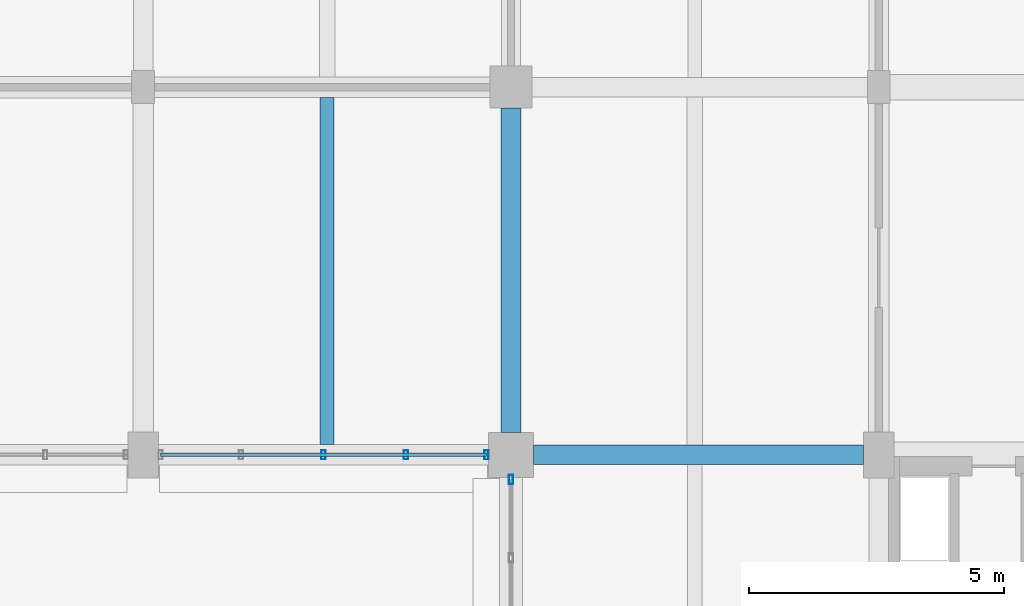
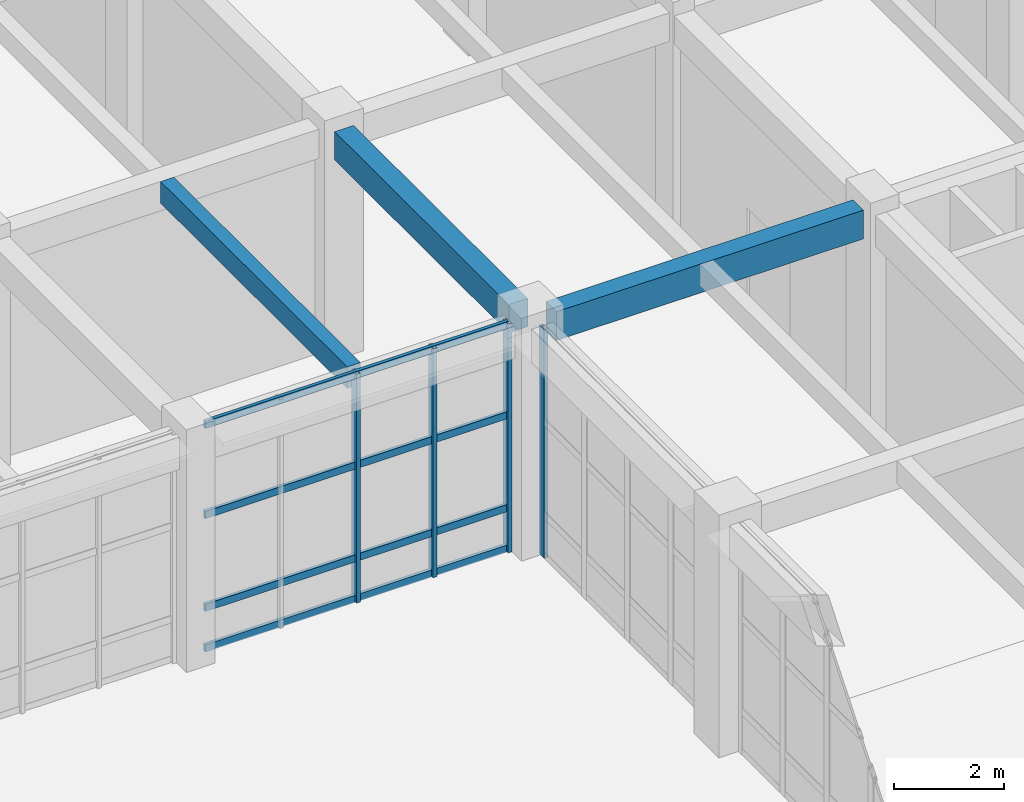
# One storey, part 102 of 160: 8 members, 3 beams, 2 elements without a shape of their own.
"""IFC4 building model written with IfcOpenShell, lengths in metres."""

from ifc_helpers import new_model, si_unit, direction, frame, origin, origin_2d, place, context, subcontext, project, spatial, rectangle, hollow_rectangle, extrude, material, material_profile, profile_set, type_object, element, aggregate, save


model = new_model("IFC4")

# Units and contexts
model_context = context("Model", 3, precision=1e-05, world=origin(), true_north=direction((0.0, 1.0)))
body_context = subcontext(model_context, "Body", "Model", "MODEL_VIEW")
ifc_project = project(units=[si_unit("LENGTHUNIT", "METRE"), si_unit("AREAUNIT", "SQUARE_METRE"), si_unit("VOLUMEUNIT", "CUBIC_METRE"), si_unit("PLANEANGLEUNIT", "RADIAN"), si_unit("MASSUNIT", "GRAM", prefix="KILO")], contexts=[model_context])

# Site, building, storey
site_placement = place(None, origin())
site = spatial("IfcSite", under=ifc_project, at=site_placement, CompositionType="ELEMENT")
building_placement = place(site_placement, origin())
building = spatial("IfcBuilding", under=site, at=building_placement, Name="Thalmaran Polytechnic", CompositionType="ELEMENT")
storey_placement = place(building_placement, origin())
storey = spatial("IfcBuildingStorey", under=building, at=storey_placement, Name="L00", CompositionType="ELEMENT", Elevation=0.0)

# Beams
ifc_material_1 = material(Name="Concrete C40/50", Category="concrete")
ifc_material_profile_1 = material_profile(ifc_material_1, rectangle(XDim=0.39990234375, YDim=0.6298828125, at=origin_2d()), Name="RC 400x630")
ifc_profile_set_1 = profile_set([ifc_material_profile_1], Name="Concrete C40/50")
beam_type_1 = type_object("IfcBeamType", Name="BM-RC07", PredefinedType="BEAM", material=ifc_profile_set_1)
beam_1_placement = place(storey_placement, frame((129.60009765625, 94.0400390625, 4.77490234375), z_axis=(0.0, 1.0, 0.0), x_axis=(-1.0, 0.0, 0.0)))
element("IfcBeam", 1, at=beam_1_placement, inside=storey, type_object=beam_type_1, Name="Grid Beam B07 L00 Y(18,13)", PredefinedType="BEAM", context=body_context, shape_type="SweptSolid", body=[
    extrude(rectangle(XDim=0.39990234375, YDim=0.6298828125, at=origin_2d()), origin(), (0.0, 0.0, 1.0), 6.349853515625),
])
ifc_material_profile_2 = material_profile(ifc_material_1, rectangle(XDim=0.3798828125, YDim=0.639892578125, at=origin_2d()), Name="RC 380x640")
ifc_profile_set_2 = profile_set([ifc_material_profile_2], Name="Concrete C40/50")
beam_type_2 = type_object("IfcBeamType", Name="BM-ZB05", PredefinedType="BEAM", material=ifc_profile_set_2)
beam_2_placement = place(storey_placement, frame((130.0400390625, 93.60009765625, 4.77001953125), z_axis=(1.0, 0.0, 0.0), x_axis=(0.0, 1.0, 0.0)))
element("IfcBeam", 2, at=beam_2_placement, inside=storey, type_object=beam_type_2, Name="Grid Beam ZB05 L00 X(18,13)", PredefinedType="BEAM", context=body_context, shape_type="SweptSolid", body=[
    extrude(rectangle(XDim=0.3798828125, YDim=0.639892578125, at=origin_2d()), origin(), (0.0, 0.0, 1.0), 6.4599609375),
])
ifc_material_profile_3 = material_profile(ifc_material_1, rectangle(XDim=0.280029296875, YDim=0.47998046875, at=origin_2d()), Name="RC 280x480")
ifc_profile_set_3 = profile_set([ifc_material_profile_3], Name="Concrete C40/50")
beam_type_3 = type_object("IfcBeamType", Name="BM-ZJ01", PredefinedType="JOIST", material=ifc_profile_set_3)
beam_3_placement = place(storey_placement, frame((126.0, 93.800048828125, 4.85009765625), z_axis=(0.0, 1.0, 0.0), x_axis=(-1.0, 0.0, 0.0)))
element("IfcBeam", 3, at=beam_3_placement, inside=storey, type_object=beam_type_3, Name="Secondary Floor Rib ZJ01 L00 (17,13)", PredefinedType="JOIST", context=body_context, shape_type="SweptSolid", body=[
    extrude(rectangle(XDim=0.280029296875, YDim=0.47998046875, at=origin_2d()), origin(), (0.0, 0.0, 1.0), 6.800048828125),
])

# Curtain wall, member
ifc_material_2 = material(Name="Aluminium 6063-T6", Category="aluminium")
curtain_wall_type = type_object("IfcCurtainWallType", Name="CW-UC01", PredefinedType="USERDEFINED", material=ifc_material_2)
curtain_wall_1_placement = place(storey_placement, origin())
curtain_wall_1 = element("IfcCurtainWall", 4, at=curtain_wall_1_placement, inside=storey, type_object=curtain_wall_type, Name="Curtain Wall CW-L00-071", ObjectType="UNITISED CURTAIN WALL", PredefinedType="USERDEFINED")
ifc_material_profile_4 = material_profile(ifc_material_2, hollow_rectangle(XDim=0.080078125, YDim=0.179931640625, WallThickness=0.0048828125, at=origin_2d()), Name="RHS 180x80x5.0")
ifc_profile_set_4 = profile_set([ifc_material_profile_4], Name="Aluminium 6063-T6")
member_type_1 = type_object("IfcMemberType", Name="CW-MUL1", PredefinedType="MULLION", material=ifc_profile_set_4)
member_1_placement = place(storey_placement, frame((129.60009765625, 93.1201171875, 0.0), z_axis=(0.0, 0.0, 1.0), x_axis=(1.0, 0.0, 0.0)))
member_1 = element("IfcMember", 5, at=member_1_placement, type_object=member_type_1, Name="CW-L00-071 Mullion 5", PredefinedType="MULLION", context=body_context, shape_type="SweptSolid", body=[
    extrude(hollow_rectangle(XDim=0.080078125, YDim=0.179931640625, WallThickness=0.0048828125, at=origin_2d()), origin(), (0.0, 0.0, 1.0), 5.090087890625),
])
aggregate(curtain_wall_1, [member_1])

# Curtain wall, members
curtain_wall_2_placement = place(storey_placement, origin())
curtain_wall_2 = element("IfcCurtainWall", 6, at=curtain_wall_2_placement, inside=storey, type_object=curtain_wall_type, Name="Curtain Wall CW-L00-072", ObjectType="UNITISED CURTAIN WALL", PredefinedType="USERDEFINED")
member_2_placement = place(storey_placement, frame((129.1201171875, 93.60009765625, 0.0), z_axis=(0.0, 0.0, 1.0), x_axis=(1.0, 0.0, 0.0)))
member_2 = element("IfcMember", 7, at=member_2_placement, type_object=member_type_1, Name="CW-L00-072 Mullion 1", PredefinedType="MULLION", context=body_context, shape_type="SweptSolid", body=[
    extrude(hollow_rectangle(XDim=0.080078125, YDim=0.179931640625, WallThickness=0.0048828125, at=origin_2d()), origin(), (0.0, 0.0, 1.0), 5.090087890625),
])
member_3_placement = place(storey_placement, frame((127.544921875, 93.60009765625, 0.0), z_axis=(0.0, 0.0, 1.0), x_axis=(1.0, 0.0, 0.0)))
member_3 = element("IfcMember", 8, at=member_3_placement, type_object=member_type_1, Name="CW-L00-072 Mullion 2", PredefinedType="MULLION", context=body_context, shape_type="SweptSolid", body=[
    extrude(hollow_rectangle(XDim=0.080078125, YDim=0.179931640625, WallThickness=0.0048828125, at=origin_2d()), origin(), (0.0, 0.0, 1.0), 5.090087890625),
])
member_4_placement = place(storey_placement, frame((125.929931640625, 93.60009765625, 0.0), z_axis=(0.0, 0.0, 1.0), x_axis=(1.0, 0.0, 0.0)))
member_4 = element("IfcMember", 9, at=member_4_placement, type_object=member_type_1, Name="CW-L00-072 Mullion 3", PredefinedType="MULLION", context=body_context, shape_type="SweptSolid", body=[
    extrude(hollow_rectangle(XDim=0.080078125, YDim=0.179931640625, WallThickness=0.0048828125, at=origin_2d()), origin(), (0.0, 0.0, 1.0), 5.090087890625),
])
ifc_material_profile_5 = material_profile(ifc_material_2, hollow_rectangle(XDim=0.070068359375, YDim=0.159912109375, WallThickness=0.00390625, at=origin_2d()), Name="AL 160x70x4.0")
ifc_profile_set_5 = profile_set([ifc_material_profile_5], Name="Aluminium 6063-T6")
member_type_2 = type_object("IfcMemberType", Name="CW-TRN1", PredefinedType="USERDEFINED", material=ifc_profile_set_5)
member_5_placement = place(storey_placement, frame((129.1201171875, 93.60009765625, 0.06005859375), z_axis=(-1.0, 0.0, 0.0), x_axis=(0.0, -1.0, 0.0)))
member_5 = element("IfcMember", 10, at=member_5_placement, type_object=member_type_2, Name="CW-L00-072 Transom 1", ObjectType="TRANSOM", PredefinedType="USERDEFINED", context=body_context, shape_type="SweptSolid", body=[
    extrude(hollow_rectangle(XDim=0.070068359375, YDim=0.159912109375, WallThickness=0.00390625, at=origin_2d()), origin(), (0.0, 0.0, 1.0), 6.380126953125),
])
member_6_placement = place(storey_placement, frame((129.1201171875, 93.60009765625, 0.9599609375), z_axis=(-1.0, 0.0, 0.0), x_axis=(0.0, -1.0, 0.0)))
member_6 = element("IfcMember", 11, at=member_6_placement, type_object=member_type_2, Name="CW-L00-072 Transom 2", ObjectType="TRANSOM", PredefinedType="USERDEFINED", context=body_context, shape_type="SweptSolid", body=[
    extrude(hollow_rectangle(XDim=0.070068359375, YDim=0.159912109375, WallThickness=0.00390625, at=origin_2d()), origin(), (0.0, 0.0, 1.0), 6.380126953125),
])
member_7_placement = place(storey_placement, frame((129.1201171875, 93.60009765625, 3.02490234375), z_axis=(-1.0, 0.0, 0.0), x_axis=(0.0, -1.0, 0.0)))
member_7 = element("IfcMember", 12, at=member_7_placement, type_object=member_type_2, Name="CW-L00-072 Transom 3", ObjectType="TRANSOM", PredefinedType="USERDEFINED", context=body_context, shape_type="SweptSolid", body=[
    extrude(hollow_rectangle(XDim=0.070068359375, YDim=0.159912109375, WallThickness=0.00390625, at=origin_2d()), origin(), (0.0, 0.0, 1.0), 6.380126953125),
])
member_8_placement = place(storey_placement, frame((129.1201171875, 93.60009765625, 5.030029296875), z_axis=(-1.0, 0.0, 0.0), x_axis=(0.0, -1.0, 0.0)))
member_8 = element("IfcMember", 13, at=member_8_placement, type_object=member_type_2, Name="CW-L00-072 Transom 4", ObjectType="TRANSOM", PredefinedType="USERDEFINED", context=body_context, shape_type="SweptSolid", body=[
    extrude(hollow_rectangle(XDim=0.070068359375, YDim=0.159912109375, WallThickness=0.00390625, at=origin_2d()), origin(), (0.0, 0.0, 1.0), 6.380126953125),
])
aggregate(curtain_wall_2, [member_2, member_3, member_4, member_5, member_6, member_7, member_8])

save(model, "model.ifc")
